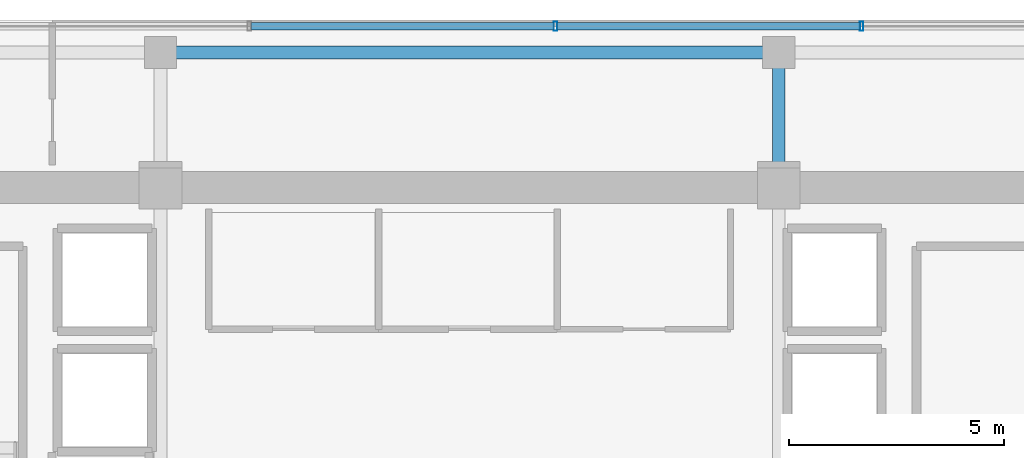
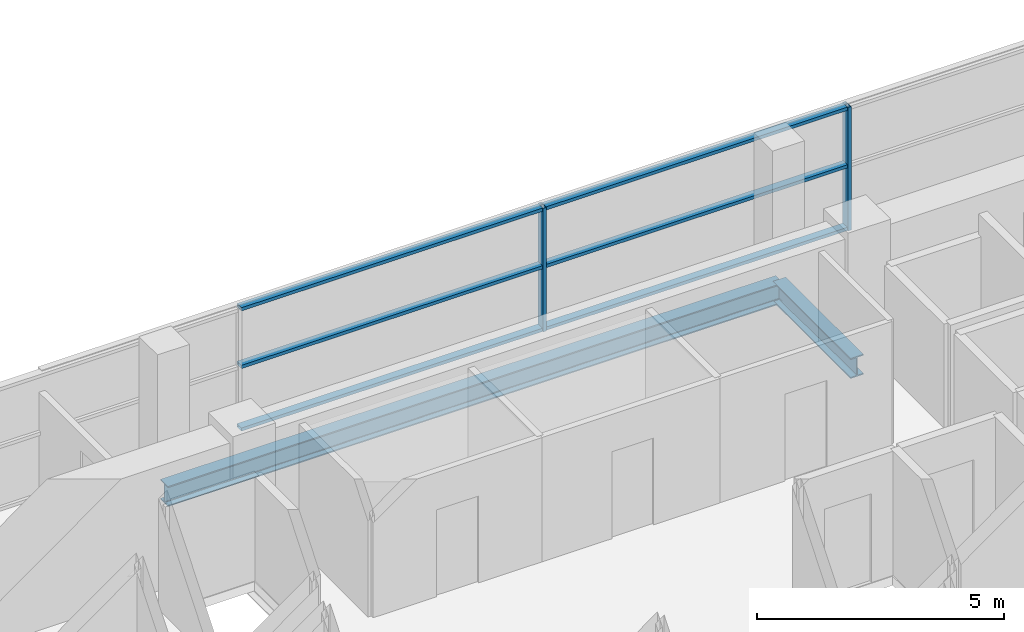
# One storey, part 12 of 23: 8 members, 2 beams, 1 element without a shape of its own.
"""IFC4 building model written with IfcOpenShell, lengths in metres."""

from ifc_helpers import new_model, si_unit, direction, frame, origin, origin_2d, place, context, subcontext, project, spatial, hollow_rectangle, i_section, extrude, source, transform, mapped, material, layer, layer_set, material_profile, profile_set, type_object, element, aggregate, save


model = new_model("IFC4")

# Units and contexts
model_context = context("Model", 3, precision=1e-05, world=origin(), true_north=direction((0.0, 1.0)))
body_context = subcontext(model_context, "Body", "Model", "MODEL_VIEW")
ifc_project = project(units=[si_unit("LENGTHUNIT", "METRE"), si_unit("AREAUNIT", "SQUARE_METRE"), si_unit("VOLUMEUNIT", "CUBIC_METRE"), si_unit("PLANEANGLEUNIT", "RADIAN"), si_unit("MASSUNIT", "GRAM", prefix="KILO")], contexts=[model_context])

# Site, building, storey
site_placement = place(None, origin())
site = spatial("IfcSite", under=ifc_project, at=site_placement, CompositionType="ELEMENT")
building_placement = place(site_placement, origin())
building = spatial("IfcBuilding", under=site, at=building_placement, Name="Zarnakvel Exchange Tower", CompositionType="ELEMENT")
storey_placement = place(building_placement, frame((0.0, 0.0, 175.89990234375)))
storey = spatial("IfcBuildingStorey", under=building, at=storey_placement, Name="L49", CompositionType="ELEMENT", Elevation=175.89990234375)

# Beams
ifc_material_1 = material(Name="Steel S355", Category="steel")
ifc_material_profile_1 = material_profile(ifc_material_1, i_section(OverallWidth=0.300048828125, OverallDepth=0.5, WebThickness=0.014404296875, FlangeThickness=0.028076171875, FilletRadius=0.027099609375, at=origin_2d()))
ifc_profile_set_1 = profile_set([ifc_material_profile_1], Name="Steel S355")
beam_type_1 = type_object("IfcBeamType", Name="G-06", PredefinedType="BEAM", material=ifc_profile_set_1)
beam_1_placement = place(storey_placement, frame((7.199951171875, 13.5, -0.474853515625), z_axis=(0.0, 1.0, 0.0), x_axis=(-1.0, 0.0, 0.0)))
element("IfcBeam", 1, at=beam_1_placement, inside=storey, type_object=beam_type_1, Name="L49 Tower N-S Frame Beam", PredefinedType="BEAM", context=body_context, shape_type="SweptSolid", body=[
    extrude(i_section(OverallWidth=0.300048828125, OverallDepth=0.5, WebThickness=0.014404296875, FlangeThickness=0.028076171875, FilletRadius=0.027099609375, at=origin_2d()), origin(), (0.0, 0.0, 1.0), 3.14990234375),
])
ifc_material_profile_2 = material_profile(ifc_material_1, i_section(OverallWidth=0.300048828125, OverallDepth=0.5, WebThickness=0.014404296875, FlangeThickness=0.028076171875, FilletRadius=0.027099609375, at=origin_2d()))
ifc_profile_set_2 = profile_set([ifc_material_profile_2], Name="Steel S355")
beam_type_2 = type_object("IfcBeamType", Name="SP-02", PredefinedType="SPANDREL", material=ifc_profile_set_2)
beam_2_placement = place(storey_placement, frame((-7.199951171875, 16.64990234375, -0.474853515625), z_axis=(1.0, 0.0, 0.0), x_axis=(0.0, 1.0, 0.0)))
element("IfcBeam", 2, at=beam_2_placement, inside=storey, type_object=beam_type_2, Name="L49 Tower E-W Frame Beam", PredefinedType="SPANDREL", context=body_context, shape_type="SweptSolid", body=[
    extrude(i_section(OverallWidth=0.300048828125, OverallDepth=0.5, WebThickness=0.014404296875, FlangeThickness=0.028076171875, FilletRadius=0.027099609375, at=origin_2d()), origin(), (0.0, 0.0, 1.0), 14.39990234375),
])

# Curtain wall, members
ifc_material_2 = material(Name="Architectural Bronze Anodised Aluminium", Category="aluminium")
ifc_layer = layer(ifc_material_2, 0.219970703125)
ifc_layer_set = layer_set([ifc_layer], Name="Architectural Bronze Anodised Aluminium")
curtain_wall_type = type_object("IfcCurtainWallType", Name="CW-03", PredefinedType="NOTDEFINED", material=ifc_layer_set)
curtain_wall_placement = place(storey_placement, origin())
curtain_wall = element("IfcCurtainWall", 3, at=curtain_wall_placement, inside=storey, type_object=curtain_wall_type, Name="L49 Curtain Wall CW-L49-N1 (CW-03)", PredefinedType="NOTDEFINED")
ifc_material_profile_3 = material_profile(ifc_material_2, hollow_rectangle(XDim=0.179931640625, YDim=0.080078125, WallThickness=0.00390625, at=origin_2d()))
ifc_profile_set_3 = profile_set([ifc_material_profile_3], Name="Architectural Bronze Anodised Aluminium")
member_type_1 = type_object("IfcMemberType", Name="CWT-03", PredefinedType="USERDEFINED", material=ifc_profile_set_3)
shared_shape_1 = source(origin(), body_context, "Body", "SweptSolid", [
    extrude(hollow_rectangle(XDim=0.179931640625, YDim=0.080078125, WallThickness=0.00390625, at=origin_2d()), origin(), (0.0, 0.0, 1.0), 7.05322265625),
])
member_1_placement = place(storey_placement, frame((-5.09326171875, 17.260009765625, 0.0400390625), z_axis=(1.0, 0.0, 0.0), x_axis=(0.0, 1.0, 0.0)))
member_1 = element("IfcMember", 4, at=member_1_placement, type_object=member_type_1, Name="CW-03 transom 3.1", ObjectType="TRANSOM", PredefinedType="USERDEFINED", context=body_context, shape_type="MappedRepresentation", body=[
    mapped(shared_shape_1, transform((0.0, 0.0, 0.0), x_axis=(1.0, 0.0, 0.0), y_axis=(0.0, 1.0, 0.0), z_axis=(0.0, 0.0, 1.0), scale=1.0)),
])
member_2_placement = place(storey_placement, frame((-5.09326171875, 17.260009765625, 1.588623046875), z_axis=(1.0, 0.0, 0.0), x_axis=(0.0, 1.0, 0.0)))
member_2 = element("IfcMember", 5, at=member_2_placement, type_object=member_type_1, Name="CW-03 transom 3.2", ObjectType="TRANSOM", PredefinedType="USERDEFINED", context=body_context, shape_type="MappedRepresentation", body=[
    mapped(shared_shape_1, transform((0.0, 0.0, 0.0), x_axis=(1.0, 0.0, 0.0), y_axis=(0.0, 1.0, 0.0), z_axis=(0.0, 0.0, 1.0), scale=1.0)),
])
member_3_placement = place(storey_placement, frame((-5.09326171875, 17.260009765625, 3.01513671875), z_axis=(1.0, 0.0, 0.0), x_axis=(0.0, 1.0, 0.0)))
member_3 = element("IfcMember", 6, at=member_3_placement, type_object=member_type_1, Name="CW-03 transom 3.3", ObjectType="TRANSOM", PredefinedType="USERDEFINED", context=body_context, shape_type="MappedRepresentation", body=[
    mapped(shared_shape_1, transform((0.0, 0.0, 0.0), x_axis=(1.0, 0.0, 0.0), y_axis=(0.0, 1.0, 0.0), z_axis=(0.0, 0.0, 1.0), scale=1.0)),
])
member_4_placement = place(storey_placement, frame((2.0400390625, 17.260009765625, 0.0400390625), z_axis=(1.0, 0.0, 0.0), x_axis=(0.0, 1.0, 0.0)))
member_4 = element("IfcMember", 7, at=member_4_placement, type_object=member_type_1, Name="CW-03 transom 4.1", ObjectType="TRANSOM", PredefinedType="USERDEFINED", context=body_context, shape_type="MappedRepresentation", body=[
    mapped(shared_shape_1, transform((0.0, 0.0, 0.0), x_axis=(1.0, 0.0, 0.0), y_axis=(0.0, 1.0, 0.0), z_axis=(0.0, 0.0, 1.0), scale=1.0)),
])
member_5_placement = place(storey_placement, frame((2.0400390625, 17.260009765625, 1.588623046875), z_axis=(1.0, 0.0, 0.0), x_axis=(0.0, 1.0, 0.0)))
member_5 = element("IfcMember", 8, at=member_5_placement, type_object=member_type_1, Name="CW-03 transom 4.2", ObjectType="TRANSOM", PredefinedType="USERDEFINED", context=body_context, shape_type="MappedRepresentation", body=[
    mapped(shared_shape_1, transform((0.0, 0.0, 0.0), x_axis=(1.0, 0.0, 0.0), y_axis=(0.0, 1.0, 0.0), z_axis=(0.0, 0.0, 1.0), scale=1.0)),
])
member_6_placement = place(storey_placement, frame((2.0400390625, 17.260009765625, 3.01513671875), z_axis=(1.0, 0.0, 0.0), x_axis=(0.0, 1.0, 0.0)))
member_6 = element("IfcMember", 9, at=member_6_placement, type_object=member_type_1, Name="CW-03 transom 4.3", ObjectType="TRANSOM", PredefinedType="USERDEFINED", context=body_context, shape_type="MappedRepresentation", body=[
    mapped(shared_shape_1, transform((0.0, 0.0, 0.0), x_axis=(1.0, 0.0, 0.0), y_axis=(0.0, 1.0, 0.0), z_axis=(0.0, 0.0, 1.0), scale=1.0)),
])
ifc_material_profile_4 = material_profile(ifc_material_2, hollow_rectangle(XDim=0.219970703125, YDim=0.080078125, WallThickness=0.0048828125, at=origin_2d()))
ifc_profile_set_4 = profile_set([ifc_material_profile_4], Name="Architectural Bronze Anodised Aluminium")
member_type_2 = type_object("IfcMemberType", Name="CWM-03", PredefinedType="MULLION", material=ifc_profile_set_4)
shared_shape_2 = source(origin(), body_context, "Body", "SweptSolid", [
    extrude(hollow_rectangle(XDim=0.219970703125, YDim=0.080078125, WallThickness=0.0048828125, at=origin_2d()), origin(), (0.0, 0.0, 1.0), 3.05517578125),
])
member_7_placement = place(storey_placement, frame((2.0, 17.260009765625, 0.0), z_axis=(0.0, 0.0, 1.0), x_axis=(0.0, 1.0, 0.0)))
member_7 = element("IfcMember", 10, at=member_7_placement, type_object=member_type_2, Name="CW-03 mullion 4", PredefinedType="MULLION", context=body_context, shape_type="MappedRepresentation", body=[
    mapped(shared_shape_2, transform((0.0, 0.0, 0.0), x_axis=(1.0, 0.0, 0.0), y_axis=(0.0, 1.0, 0.0), z_axis=(0.0, 0.0, 1.0), scale=1.0)),
])
member_8_placement = place(storey_placement, frame((9.13330078125, 17.260009765625, 0.0), z_axis=(0.0, 0.0, 1.0), x_axis=(0.0, 1.0, 0.0)))
member_8 = element("IfcMember", 11, at=member_8_placement, type_object=member_type_2, Name="CW-03 mullion 5", PredefinedType="MULLION", context=body_context, shape_type="MappedRepresentation", body=[
    mapped(shared_shape_2, transform((0.0, 0.0, 0.0), x_axis=(1.0, 0.0, 0.0), y_axis=(0.0, 1.0, 0.0), z_axis=(0.0, 0.0, 1.0), scale=1.0)),
])
aggregate(curtain_wall, [member_7, member_8, member_1, member_2, member_3, member_4, member_5, member_6])

save(model, "model.ifc")
